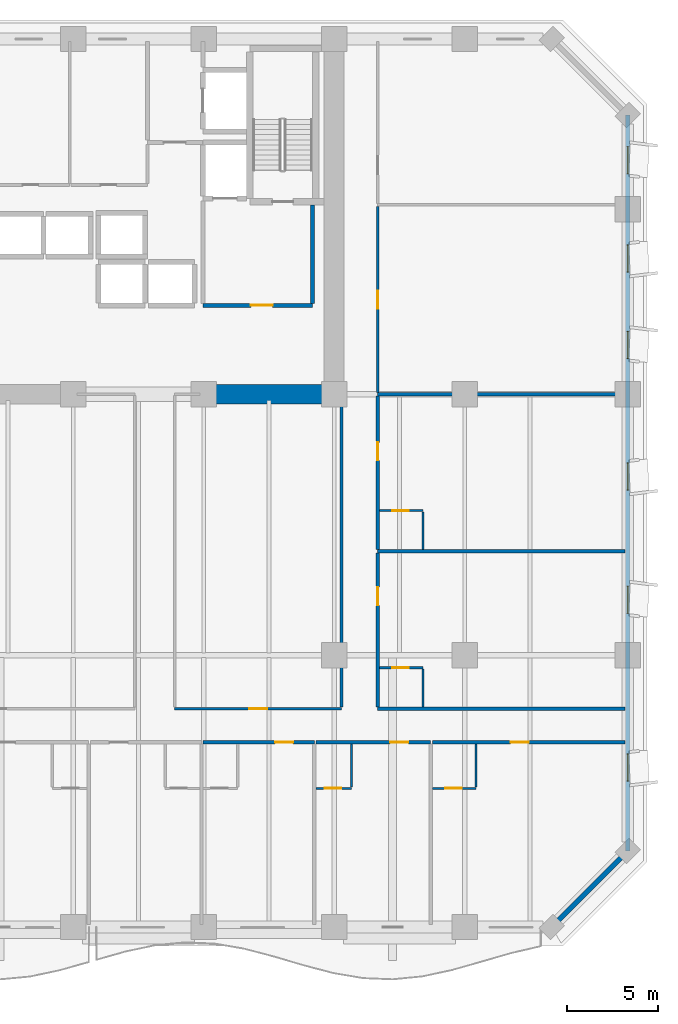
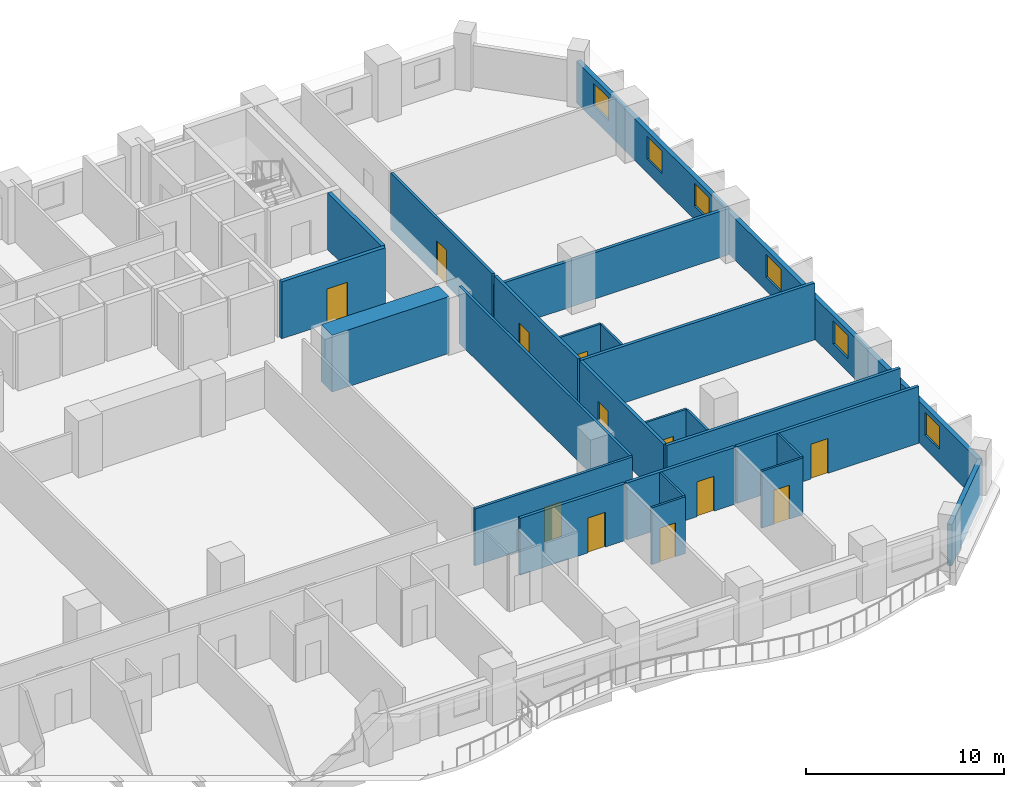
# One storey, part 10 of 15: 24 walls, 12 doors, 6 windows, 18 openings.
"""IFC4 building model written with IfcOpenShell, lengths in metres."""

import ifcopenshell
import ifcopenshell.guid

model = None  # the IFC model being written
_history = None  # IfcOwnerHistory: only IFC2X3 demands one
_inside = {}  # id of a spatial element -> (the spatial element, [elements in it])
_under = {}  # id of a project, library or spatial element -> (it, [spatial elements below it])
_declared = {}  # id of a project -> (the project, [libraries it declares])
_typed = {}  # id of a type object -> (the type object, [elements of that type])
_made_of = {}  # id of a material, layer set ... -> (it, [elements and type objects made of it])


def new_model(schema):
    """Start an empty IFC model of exactly this schema.

    Asked for "IFC4X3", IfcOpenShell would pick the latest addendum, in which some entities
    have other attributes; the version numbers below select the first issue.
    IFC2X3 requires an IfcOwnerHistory on every rooted entity: one is made here for all.
    """
    global model, _history
    if schema == "IFC4X3":
        model = ifcopenshell.file(schema_version=(4, 3, 0, 0))
    else:
        model = ifcopenshell.file(schema=schema)
    _inside.clear()
    _under.clear()
    _declared.clear()
    _typed.clear()
    _made_of.clear()
    _history = None
    if model.schema == "IFC2X3":
        org = make("IfcOrganization", Name="unknown")
        user = make(
            "IfcPersonAndOrganization",
            ThePerson=make("IfcPerson", FamilyName="unknown"),
            TheOrganization=org,
        )
        app = make(
            "IfcApplication",
            ApplicationDeveloper=org,
            Version="unknown",
            ApplicationFullName="unknown",
            ApplicationIdentifier="unknown",
        )
        _history = make(
            "IfcOwnerHistory",
            OwningUser=user,
            OwningApplication=app,
            ChangeAction="ADDED",
            CreationDate=0,
        )
    return model


def make(cls, **values):
    """One entity of the class cls with the attributes given. An attribute that is None is left unset."""
    return model.create_entity(
        cls, **{name: value for name, value in values.items() if value is not None}
    )


def rooted(cls, **values):
    """An entity with a GlobalId (a new one), such as an element, a storey or a relation."""
    return make(cls, GlobalId=ifcopenshell.guid.new(), OwnerHistory=_history, **values)


def si_unit(unit_type, name, prefix=None):
    """IfcSIUnit, for example si_unit("LENGTHUNIT", "METRE", prefix="MILLI")."""
    return make("IfcSIUnit", UnitType=unit_type, Prefix=prefix, Name=name)


def assignment(units):
    """IfcUnitAssignment: the units of a project."""
    return None if units is None else make("IfcUnitAssignment", Units=units)


def point(xyz):
    """IfcCartesianPoint."""
    return None if xyz is None else make("IfcCartesianPoint", Coordinates=xyz)


def direction(xyz):
    """IfcDirection."""
    return None if xyz is None else make("IfcDirection", DirectionRatios=xyz)


def frame(location, z_axis=None, x_axis=None):
    """IfcAxis2Placement3D, a coordinate frame: its origin and axes. An axis left out is left unset."""
    return make(
        "IfcAxis2Placement3D",
        Location=point(location),
        Axis=direction(z_axis),
        RefDirection=direction(x_axis),
    )


def frame_2d(location, x_axis=None):
    """IfcAxis2Placement2D, a coordinate frame in the plane: its origin and x axis."""
    return make(
        "IfcAxis2Placement2D", Location=point(location), RefDirection=direction(x_axis)
    )


def origin():
    """The frame at (0, 0, 0) with its axes left unset."""
    return frame((0.0, 0.0, 0.0))


def place(relative_to, where):
    """IfcLocalPlacement: puts the frame where relative to a parent placement (None: the world)."""
    return make(
        "IfcLocalPlacement", PlacementRelTo=relative_to, RelativePlacement=where
    )


def context(
    kind, dimensions, precision=None, world=None, true_north=None, identifier=None
):
    """IfcGeometricRepresentationContext, for example the 3D "Model" context."""
    return make(
        "IfcGeometricRepresentationContext",
        ContextIdentifier=identifier,
        ContextType=kind,
        CoordinateSpaceDimension=dimensions,
        Precision=precision,
        WorldCoordinateSystem=world,
        TrueNorth=true_north,
    )


def subcontext(parent, identifier, kind, view, scale=None):
    """IfcGeometricRepresentationSubContext, for example "Body" below "Model"."""
    return make(
        "IfcGeometricRepresentationSubContext",
        ContextIdentifier=identifier,
        ContextType=kind,
        ParentContext=parent,
        TargetScale=scale,
        TargetView=view,
    )


def project(units=None, contexts=None):
    """IfcProject with its units and contexts."""
    return rooted(
        "IfcProject",
        Name="project",
        RepresentationContexts=contexts,
        UnitsInContext=assignment(units),
    )


def spatial(cls, under=None, at=None, **own):
    """A site, building, storey or space (cls), placed at a placement, below another one or the project."""
    s = rooted(cls, ObjectPlacement=at, **own)
    if under is not None:
        _under.setdefault(under.id(), (under, []))[1].append(s)
    return s


def profile(cls, at=None, kind="AREA", **sizes):
    """A parametric profile (cls). Its sizes go by their IFC names, for example OverallWidth=200.0."""
    return make(cls, ProfileType=kind, Position=at, **sizes)


def rectangle(**sizes):
    """IfcRectangleProfileDef."""
    return profile("IfcRectangleProfileDef", **sizes)


def extrude(swept, where, along, depth):
    """IfcExtrudedAreaSolid: the profile swept, set in the frame where, extruded along a direction by depth."""
    return make(
        "IfcExtrudedAreaSolid",
        SweptArea=swept,
        Position=where,
        ExtrudedDirection=direction(along),
        Depth=depth,
    )


def shape(context_of_items, identifier, shape_type, items):
    """IfcShapeRepresentation: the items that make up one representation, for example the "Body"."""
    return make(
        "IfcShapeRepresentation",
        ContextOfItems=context_of_items,
        RepresentationIdentifier=identifier,
        RepresentationType=shape_type,
        Items=items,
    )


def material(Name=None, Category=None):
    """IfcMaterial."""
    return make("IfcMaterial", Name=Name, Category=Category)


def layer(
    of_material, thickness, ventilated=None, Name=None, Category=None, Priority=None
):
    """IfcMaterialLayer: one layer of a wall or slab, of a material (None: an air gap)."""
    return make(
        "IfcMaterialLayer",
        Material=of_material,
        LayerThickness=thickness,
        IsVentilated=ventilated,
        Name=Name,
        Category=Category,
        Priority=Priority,
    )


def layer_set(layers, Name=None):
    """IfcMaterialLayerSet."""
    return make("IfcMaterialLayerSet", MaterialLayers=layers, LayerSetName=Name)


def made_of(thing, what):
    """Note that an element or type object is made of a material, layer set ...; save() writes the relation."""
    if what is not None:
        _made_of.setdefault(what.id(), (what, []))[1].append(thing)
    return thing


def type_object(cls, material=None, **own):
    """A type object (cls), such as IfcWallType, which elements share."""
    return made_of(rooted(cls, **own), material)


def element(
    cls,
    number,
    at=None,
    inside=None,
    cuts=None,
    type_object=None,
    material=None,
    context=None,
    identifier="Body",
    shape_type=None,
    held_by="IfcProductDefinitionShape",
    body=None,
    shapes=None,
    **own,
):
    """One element of the class cls, such as IfcWall. Its Tag is "e" and its number.

    at: its placement. inside: the storey or other place that contains it. cuts: it is an
    opening in that element (IfcRelVoidsElement). A single representation is given by context,
    identifier, shape_type and body (its items); several are given by shapes. held_by: the class
    of the entity that holds the representations. save() writes the other relations.
    """
    e = rooted(cls, Tag="e%d" % number, ObjectPlacement=at, **own)
    if body is not None:
        shapes = [shape(context, identifier, shape_type, body)]
    if shapes is not None:
        e.Representation = make(held_by, Representations=shapes)
    if inside is not None:
        _inside.setdefault(inside.id(), (inside, []))[1].append(e)
    if cuts is not None:
        rooted(
            "IfcRelVoidsElement", RelatingBuildingElement=cuts, RelatedOpeningElement=e
        )
    if type_object is not None:
        _typed.setdefault(type_object.id(), (type_object, []))[1].append(e)
    return made_of(e, material)


def fill(opening, filler):
    """IfcRelFillsElement: the door or window that sits in an opening."""
    return rooted(
        "IfcRelFillsElement",
        RelatingOpeningElement=opening,
        RelatedBuildingElement=filler,
    )


def aggregate(whole, parts):
    """IfcRelAggregates: a whole, such as a stair, and the parts it consists of."""
    return rooted("IfcRelAggregates", RelatingObject=whole, RelatedObjects=parts)


def save(model, path):
    """Write the relations noted so far, then the file.

    IfcRelAggregates (storeys below a building ...), IfcRelContainedInSpatialStructure (elements
    in a storey), IfcRelDefinesByType, IfcRelAssociatesMaterial and IfcRelDeclares: one each for
    every whole, place, type object, material and project.
    """
    for whole, parts in _under.values():
        aggregate(whole, parts)
    for where, things in _inside.values():
        rooted(
            "IfcRelContainedInSpatialStructure",
            RelatedElements=things,
            RelatingStructure=where,
        )
    for kind, things in _typed.values():
        rooted("IfcRelDefinesByType", RelatedObjects=things, RelatingType=kind)
    for what, things in _made_of.values():
        rooted("IfcRelAssociatesMaterial", RelatedObjects=things, RelatingMaterial=what)
    for by, libraries in _declared.values():
        rooted("IfcRelDeclares", RelatingContext=by, RelatedDefinitions=libraries)
    model.write(path)


model = new_model("IFC4")

# Units and contexts
model_context = context("Model", 3, precision=1e-05, world=origin(), true_north=direction((0.0, 1.0)))
body_context = subcontext(model_context, "Body", "Model", "MODEL_VIEW")
ifc_project = project(units=[si_unit("LENGTHUNIT", "METRE"), si_unit("AREAUNIT", "SQUARE_METRE"), si_unit("VOLUMEUNIT", "CUBIC_METRE"), si_unit("PLANEANGLEUNIT", "RADIAN"), si_unit("MASSUNIT", "GRAM", prefix="KILO")], contexts=[model_context])

# Site, building, storey
site_placement = place(None, origin())
site = spatial("IfcSite", under=ifc_project, at=site_placement, CompositionType="ELEMENT")
building_placement = place(site_placement, origin())
building = spatial("IfcBuilding", under=site, at=building_placement, Name="Kaelvorn Grand Hotel", CompositionType="ELEMENT")
storey_placement = place(building_placement, frame((0.0, 0.0, 46.39990234375)))
storey = spatial("IfcBuildingStorey", under=building, at=storey_placement, Name="L09", CompositionType="ELEMENT", Elevation=46.39990234375)

# Walls
ifc_material_1 = material(Name="Concrete C80/95", Category="concrete")
ifc_layer_1 = layer(ifc_material_1, 1.10009765625)
ifc_layer_set_1 = layer_set([ifc_layer_1], Name="Concrete C80/95")
wall_type_1 = type_object("IfcWallType", Name="WL-CORE-1100-C80", PredefinedType="SHEAR", material=ifc_layer_set_1)
wall_1_placement = place(storey_placement, frame((60.39990234375, 29.39990234375, 0.0), z_axis=(0.0, 0.0, 1.0), x_axis=(1.0, 0.0, 0.0)))
element("IfcWall", 1, at=wall_1_placement, inside=storey, type_object=wall_type_1, Name="L09 Rear-Core Coupled Shear Pier S4", PredefinedType="SHEAR", context=body_context, shape_type="SweptSolid", body=[
    extrude(rectangle(XDim=6.84521484375, YDim=1.10009765625, at=frame_2d((3.422607421875, 0.0))), origin(), (0.0, 0.0, 1.0), 3.510009765625),
])
ifc_material_2 = material(Name="Concrete C40/50", Category="concrete")
ifc_layer_2 = layer(ifc_material_2, 0.260009765625)
ifc_layer_set_2 = layer_set([ifc_layer_2], Name="Concrete C40/50")
wall_type_2 = type_object("IfcWallType", Name="WL-EXT-260-C40", PredefinedType="SOLIDWALL", material=ifc_layer_set_2)
wall_2_placement = place(storey_placement, frame((79.800048828125, 0.0, 0.0), z_axis=(0.0, 0.0, 1.0), x_axis=(0.707106781187, 0.707106781187, 0.0)))
element("IfcWall", 2, at=wall_2_placement, inside=storey, type_object=wall_type_2, Name="L09 Exterior Architectural Concrete Wall 02", PredefinedType="SOLIDWALL", context=body_context, shape_type="SweptSolid", body=[
    extrude(rectangle(XDim=5.939697265625, YDim=0.260009765625, at=frame_2d((2.9697265625, 0.0))), origin(), (0.0, 0.0, 1.0), 2.56005859375),
])

# Wall, openings, windows
wall_3_placement = place(storey_placement, frame((84.0, 4.199951171875, 0.0), z_axis=(0.0, 0.0, 1.0), x_axis=(0.0, 1.0, 0.0)))
wall_3 = element("IfcWall", 3, at=wall_3_placement, inside=storey, type_object=wall_type_2, Name="L09 Exterior Architectural Concrete Wall 03", PredefinedType="SOLIDWALL", context=body_context, shape_type="SweptSolid", body=[
    extrude(rectangle(XDim=40.60009765625, YDim=0.260009765625, at=frame_2d((20.300048828125, 0.0))), origin(), (0.0, 0.0, 1.0), 2.56005859375),
])
opening_1_placement = place(wall_3_placement, frame((3.85009765625, 0.0, 0.85009765625)))
opening_1 = element("IfcOpeningElement", 4, at=opening_1_placement, cuts=wall_3, Name="Opening W10", PredefinedType="OPENING", context=body_context, shape_type="SweptSolid", body=[
    extrude(rectangle(XDim=1.5, YDim=1.39990234375, at=frame_2d((0.75, 0.699951171875))), frame((0.0, 0.14013671875, 0.0), z_axis=(0.0, -1.0, 0.0), x_axis=(1.0, 0.0, 0.0)), (0.0, 0.0, 1.0), 0.280029296875),
])
opening_2_placement = place(wall_3_placement, frame((13.114990234375, 0.0, 0.85009765625)))
opening_2 = element("IfcOpeningElement", 5, at=opening_2_placement, cuts=wall_3, Name="Opening W10", PredefinedType="OPENING", context=body_context, shape_type="SweptSolid", body=[
    extrude(rectangle(XDim=1.5, YDim=1.39990234375, at=frame_2d((0.75, 0.699951171875))), frame((0.0, 0.14013671875, 0.0), z_axis=(0.0, -1.0, 0.0), x_axis=(1.0, 0.0, 0.0)), (0.0, 0.0, 1.0), 0.280029296875),
])
opening_3_placement = place(wall_3_placement, frame((19.9150390625, 0.0, 0.85009765625)))
opening_3 = element("IfcOpeningElement", 6, at=opening_3_placement, cuts=wall_3, Name="Opening W10", PredefinedType="OPENING", context=body_context, shape_type="SweptSolid", body=[
    extrude(rectangle(XDim=1.5, YDim=1.39990234375, at=frame_2d((0.75, 0.699951171875))), frame((0.0, 0.14013671875, 0.0), z_axis=(0.0, -1.0, 0.0), x_axis=(1.0, 0.0, 0.0)), (0.0, 0.0, 1.0), 0.280029296875),
])
opening_4_placement = place(wall_3_placement, frame((27.1650390625, 0.0, 0.85009765625)))
opening_4 = element("IfcOpeningElement", 7, at=opening_4_placement, cuts=wall_3, Name="Opening W10", PredefinedType="OPENING", context=body_context, shape_type="SweptSolid", body=[
    extrude(rectangle(XDim=1.5, YDim=1.39990234375, at=frame_2d((0.75, 0.699951171875))), frame((0.0, 0.14013671875, 0.0), z_axis=(0.0, -1.0, 0.0), x_axis=(1.0, 0.0, 0.0)), (0.0, 0.0, 1.0), 0.280029296875),
])
opening_5_placement = place(wall_3_placement, frame((31.93505859375, 0.0, 0.85009765625)))
opening_5 = element("IfcOpeningElement", 8, at=opening_5_placement, cuts=wall_3, Name="Opening W10", PredefinedType="OPENING", context=body_context, shape_type="SweptSolid", body=[
    extrude(rectangle(XDim=1.5, YDim=1.39990234375, at=frame_2d((0.75, 0.699951171875))), frame((0.0, 0.14013671875, 0.0), z_axis=(0.0, -1.0, 0.0), x_axis=(1.0, 0.0, 0.0)), (0.0, 0.0, 1.0), 0.280029296875),
])
opening_6_placement = place(wall_3_placement, frame((37.364990234375, 0.0, 0.85009765625)))
opening_6 = element("IfcOpeningElement", 9, at=opening_6_placement, cuts=wall_3, Name="Opening W10", PredefinedType="OPENING", context=body_context, shape_type="SweptSolid", body=[
    extrude(rectangle(XDim=1.5, YDim=1.39990234375, at=frame_2d((0.75, 0.699951171875))), frame((0.0, 0.14013671875, 0.0), z_axis=(0.0, -1.0, 0.0), x_axis=(1.0, 0.0, 0.0)), (0.0, 0.0, 1.0), 0.280029296875),
])
ifc_material_3 = material(Name="Laminated Low-E Glass", Category="glass")
window_type = type_object("IfcWindowType", Name="WIN-COR-1500x1400", PartitioningType="SINGLE_PANEL", PredefinedType="WINDOW", material=ifc_material_3)
window_1_placement = place(opening_1_placement, origin())
window_1 = element("IfcWindow", 10, at=window_1_placement, inside=storey, type_object=window_type, Name="L09 E Wing Tilted-Frame Ribbon Window E01", OverallHeight=1.39990234375, OverallWidth=1.5, PartitioningType="SINGLE_PANEL", PredefinedType="WINDOW", context=body_context, shape_type="SweptSolid", body=[
    extrude(rectangle(XDim=1.5, YDim=1.39990234375, at=frame_2d((0.75, 0.699951171875))), frame((0.0, 0.030029296875, 0.0), z_axis=(0.0, -1.0, 0.0), x_axis=(1.0, 0.0, 0.0)), (0.0, 0.0, 1.0), 0.06005859375),
])
fill(opening_1, window_1)
window_2_placement = place(opening_2_placement, origin())
window_2 = element("IfcWindow", 11, at=window_2_placement, inside=storey, type_object=window_type, Name="L09 E Wing Tilted-Frame Ribbon Window E02", OverallHeight=1.39990234375, OverallWidth=1.5, PartitioningType="SINGLE_PANEL", PredefinedType="WINDOW", context=body_context, shape_type="SweptSolid", body=[
    extrude(rectangle(XDim=1.5, YDim=1.39990234375, at=frame_2d((0.75, 0.699951171875))), frame((0.0, 0.030029296875, 0.0), z_axis=(0.0, -1.0, 0.0), x_axis=(1.0, 0.0, 0.0)), (0.0, 0.0, 1.0), 0.06005859375),
])
fill(opening_2, window_2)
window_3_placement = place(opening_3_placement, origin())
window_3 = element("IfcWindow", 12, at=window_3_placement, inside=storey, type_object=window_type, Name="L09 E Wing Tilted-Frame Ribbon Window E03", OverallHeight=1.39990234375, OverallWidth=1.5, PartitioningType="SINGLE_PANEL", PredefinedType="WINDOW", context=body_context, shape_type="SweptSolid", body=[
    extrude(rectangle(XDim=1.5, YDim=1.39990234375, at=frame_2d((0.75, 0.699951171875))), frame((0.0, 0.030029296875, 0.0), z_axis=(0.0, -1.0, 0.0), x_axis=(1.0, 0.0, 0.0)), (0.0, 0.0, 1.0), 0.06005859375),
])
fill(opening_3, window_3)
window_4_placement = place(opening_4_placement, origin())
window_4 = element("IfcWindow", 13, at=window_4_placement, inside=storey, type_object=window_type, Name="L09 E Wing Tilted-Frame Ribbon Window E04", OverallHeight=1.39990234375, OverallWidth=1.5, PartitioningType="SINGLE_PANEL", PredefinedType="WINDOW", context=body_context, shape_type="SweptSolid", body=[
    extrude(rectangle(XDim=1.5, YDim=1.39990234375, at=frame_2d((0.75, 0.699951171875))), frame((0.0, 0.030029296875, 0.0), z_axis=(0.0, -1.0, 0.0), x_axis=(1.0, 0.0, 0.0)), (0.0, 0.0, 1.0), 0.06005859375),
])
fill(opening_4, window_4)
window_5_placement = place(opening_5_placement, origin())
window_5 = element("IfcWindow", 14, at=window_5_placement, inside=storey, type_object=window_type, Name="L09 E Wing Tilted-Frame Ribbon Window E05", OverallHeight=1.39990234375, OverallWidth=1.5, PartitioningType="SINGLE_PANEL", PredefinedType="WINDOW", context=body_context, shape_type="SweptSolid", body=[
    extrude(rectangle(XDim=1.5, YDim=1.39990234375, at=frame_2d((0.75, 0.699951171875))), frame((0.0, 0.030029296875, 0.0), z_axis=(0.0, -1.0, 0.0), x_axis=(1.0, 0.0, 0.0)), (0.0, 0.0, 1.0), 0.06005859375),
])
fill(opening_5, window_5)
window_6_placement = place(opening_6_placement, origin())
window_6 = element("IfcWindow", 15, at=window_6_placement, inside=storey, type_object=window_type, Name="L09 E Wing Tilted-Frame Ribbon Window E06", OverallHeight=1.39990234375, OverallWidth=1.5, PartitioningType="SINGLE_PANEL", PredefinedType="WINDOW", context=body_context, shape_type="SweptSolid", body=[
    extrude(rectangle(XDim=1.5, YDim=1.39990234375, at=frame_2d((0.75, 0.699951171875))), frame((0.0, 0.030029296875, 0.0), z_axis=(0.0, -1.0, 0.0), x_axis=(1.0, 0.0, 0.0)), (0.0, 0.0, 1.0), 0.06005859375),
])
fill(opening_6, window_6)

# Wall, opening, door
ifc_material_4 = material(Name="Moisture-Resistant Tile & Stud Board")
ifc_layer_3 = layer(ifc_material_4, 0.125)
ifc_layer_set_3 = layer_set([ifc_layer_3], Name="Moisture-Resistant Tile & Stud Board")
wall_type_3 = type_object("IfcWallType", Name="WL-PART-125-WET", PredefinedType="PARTITIONING", material=ifc_layer_set_3)
wall_4_placement = place(storey_placement, frame((66.793701171875, 7.64990234375, 0.0), z_axis=(0.0, 0.0, 1.0), x_axis=(1.0, 0.0, 0.0)))
wall_4 = element("IfcWall", 16, at=wall_4_placement, inside=storey, type_object=wall_type_3, Name="L09 En-suite Bathroom L09-11 S Partition", PredefinedType="PARTITIONING", context=body_context, shape_type="SweptSolid", body=[
    extrude(rectangle(XDim=1.965087890625, YDim=0.125, at=frame_2d((0.982421875, 0.0))), origin(), (0.0, 0.0, 1.0), 3.510009765625),
])
opening_7_placement = place(wall_4_placement, frame((0.485107421875, 0.0, 0.0)))
opening_7 = element("IfcOpeningElement", 17, at=opening_7_placement, cuts=wall_4, Name="Opening DI4", PredefinedType="OPENING", context=body_context, shape_type="SweptSolid", body=[
    extrude(rectangle(XDim=0.89990234375, YDim=2.10009765625, at=frame_2d((0.449951171875, 1.050048828125))), frame((0.0, 0.072509765625, 0.0), z_axis=(0.0, -1.0, 0.0), x_axis=(1.0, 0.0, 0.0)), (0.0, 0.0, 1.0), 0.14501953125),
])
ifc_material_5 = material(Name="Timber Veneer Leaf", Category="wood")
door_type_1 = type_object("IfcDoorType", Name="DR-INT-BATH-900x2100", OperationType="NOTDEFINED", PredefinedType="DOOR", material=ifc_material_5)
door_1_placement = place(opening_7_placement, origin())
door_1 = element("IfcDoor", 18, at=door_1_placement, inside=storey, type_object=door_type_1, Name="L09 En-suite Bathroom L09-11 Door", OperationType="SINGLE_SWING_RIGHT", OverallHeight=2.10009765625, OverallWidth=0.89990234375, PredefinedType="DOOR", context=body_context, shape_type="SweptSolid", body=[
    extrude(rectangle(XDim=0.89990234375, YDim=2.10009765625, at=frame_2d((0.449951171875, 1.050048828125))), frame((0.0, 0.02490234375, 0.0), z_axis=(0.0, -1.0, 0.0), x_axis=(1.0, 0.0, 0.0)), (0.0, 0.0, 1.0), 0.050048828125),
])
fill(opening_7, door_1)

# Wall
wall_5_placement = place(storey_placement, frame((68.7587890625, 7.717529296875, 0.0), z_axis=(0.0, 0.0, 1.0), x_axis=(0.0, 1.0, 0.0)))
element("IfcWall", 19, at=wall_5_placement, inside=storey, type_object=wall_type_3, Name="L09 En-suite Bathroom L09-11 E Partition", PredefinedType="PARTITIONING", context=body_context, shape_type="SweptSolid", body=[
    extrude(rectangle(XDim=2.387451171875, YDim=0.125, at=frame_2d((1.19384765625, 0.0))), origin(), (0.0, 0.0, 1.0), 3.510009765625),
])

# Wall, opening, door
wall_6_placement = place(storey_placement, frame((73.21923828125, 7.64990234375, 0.0), z_axis=(0.0, 0.0, 1.0), x_axis=(1.0, 0.0, 0.0)))
wall_6 = element("IfcWall", 20, at=wall_6_placement, inside=storey, type_object=wall_type_3, Name="L09 En-suite Bathroom L09-12 S Partition", PredefinedType="PARTITIONING", context=body_context, shape_type="SweptSolid", body=[
    extrude(rectangle(XDim=2.405029296875, YDim=0.125, at=frame_2d((1.20263671875, 0.0))), origin(), (0.0, 0.0, 1.0), 3.510009765625),
])
opening_8_placement = place(wall_6_placement, frame((0.705078125, 0.0, 0.0)))
opening_8 = element("IfcOpeningElement", 21, at=opening_8_placement, cuts=wall_6, Name="Opening DI4", PredefinedType="OPENING", context=body_context, shape_type="SweptSolid", body=[
    extrude(rectangle(XDim=0.89990234375, YDim=2.10009765625, at=frame_2d((0.449951171875, 1.050048828125))), frame((0.0, 0.072509765625, 0.0), z_axis=(0.0, -1.0, 0.0), x_axis=(1.0, 0.0, 0.0)), (0.0, 0.0, 1.0), 0.14501953125),
])
door_2_placement = place(opening_8_placement, origin())
door_2 = element("IfcDoor", 22, at=door_2_placement, inside=storey, type_object=door_type_1, Name="L09 En-suite Bathroom L09-12 Door", OperationType="SINGLE_SWING_RIGHT", OverallHeight=2.10009765625, OverallWidth=0.89990234375, PredefinedType="DOOR", context=body_context, shape_type="SweptSolid", body=[
    extrude(rectangle(XDim=0.89990234375, YDim=2.10009765625, at=frame_2d((0.449951171875, 1.050048828125))), frame((0.0, 0.02490234375, 0.0), z_axis=(0.0, -1.0, 0.0), x_axis=(1.0, 0.0, 0.0)), (0.0, 0.0, 1.0), 0.050048828125),
])
fill(opening_8, door_2)

# Wall
wall_7_placement = place(storey_placement, frame((75.624267578125, 7.717529296875, 0.0), z_axis=(0.0, 0.0, 1.0), x_axis=(0.0, 1.0, 0.0)))
element("IfcWall", 23, at=wall_7_placement, inside=storey, type_object=wall_type_3, Name="L09 En-suite Bathroom L09-12 E Partition", PredefinedType="PARTITIONING", context=body_context, shape_type="SweptSolid", body=[
    extrude(rectangle(XDim=2.387451171875, YDim=0.125, at=frame_2d((1.19384765625, 0.0))), origin(), (0.0, 0.0, 1.0), 3.510009765625),
])

# Wall, opening, door
wall_8_placement = place(storey_placement, frame((70.294921875, 14.31005859375, 0.0), z_axis=(0.0, 0.0, 1.0), x_axis=(1.0, 0.0, 0.0)))
wall_8 = element("IfcWall", 24, at=wall_8_placement, inside=storey, type_object=wall_type_3, Name="L09 En-suite Bathroom L09-15 N Partition", PredefinedType="PARTITIONING", context=body_context, shape_type="SweptSolid", body=[
    extrude(rectangle(XDim=2.405029296875, YDim=0.125, at=frame_2d((1.20263671875, 0.0))), origin(), (0.0, 0.0, 1.0), 3.510009765625),
])
opening_9_placement = place(wall_8_placement, frame((0.705078125, 0.0, 0.0)))
opening_9 = element("IfcOpeningElement", 25, at=opening_9_placement, cuts=wall_8, Name="Opening DI4", PredefinedType="OPENING", context=body_context, shape_type="SweptSolid", body=[
    extrude(rectangle(XDim=0.89990234375, YDim=2.10009765625, at=frame_2d((0.449951171875, 1.050048828125))), frame((0.0, 0.072509765625, 0.0), z_axis=(0.0, -1.0, 0.0), x_axis=(1.0, 0.0, 0.0)), (0.0, 0.0, 1.0), 0.14501953125),
])
door_3_placement = place(opening_9_placement, origin())
door_3 = element("IfcDoor", 26, at=door_3_placement, inside=storey, type_object=door_type_1, Name="L09 En-suite Bathroom L09-15 Door", OperationType="SINGLE_SWING_RIGHT", OverallHeight=2.10009765625, OverallWidth=0.89990234375, PredefinedType="DOOR", context=body_context, shape_type="SweptSolid", body=[
    extrude(rectangle(XDim=0.89990234375, YDim=2.10009765625, at=frame_2d((0.449951171875, 1.050048828125))), frame((0.0, 0.02490234375, 0.0), z_axis=(0.0, -1.0, 0.0), x_axis=(1.0, 0.0, 0.0)), (0.0, 0.0, 1.0), 0.050048828125),
])
fill(opening_9, door_3)

# Wall
wall_9_placement = place(storey_placement, frame((72.699951171875, 12.14501953125, 0.0), z_axis=(0.0, 0.0, 1.0), x_axis=(0.0, 1.0, 0.0)))
element("IfcWall", 27, at=wall_9_placement, inside=storey, type_object=wall_type_3, Name="L09 En-suite Bathroom L09-15 E Partition", PredefinedType="PARTITIONING", context=body_context, shape_type="SweptSolid", body=[
    extrude(rectangle(XDim=2.097412109375, YDim=0.125, at=frame_2d((1.048828125, 0.0))), origin(), (0.0, 0.0, 1.0), 3.510009765625),
])

# Wall, opening, door
wall_10_placement = place(storey_placement, frame((70.294921875, 22.97998046875, 0.0), z_axis=(0.0, 0.0, 1.0), x_axis=(1.0, 0.0, 0.0)))
wall_10 = element("IfcWall", 28, at=wall_10_placement, inside=storey, type_object=wall_type_3, Name="L09 En-suite Bathroom L09-16 N Partition", PredefinedType="PARTITIONING", context=body_context, shape_type="SweptSolid", body=[
    extrude(rectangle(XDim=2.405029296875, YDim=0.125, at=frame_2d((1.20263671875, 0.0))), origin(), (0.0, 0.0, 1.0), 3.510009765625),
])
opening_10_placement = place(wall_10_placement, frame((0.705078125, 0.0, 0.0)))
opening_10 = element("IfcOpeningElement", 29, at=opening_10_placement, cuts=wall_10, Name="Opening DI4", PredefinedType="OPENING", context=body_context, shape_type="SweptSolid", body=[
    extrude(rectangle(XDim=0.89990234375, YDim=2.10009765625, at=frame_2d((0.449951171875, 1.050048828125))), frame((0.0, 0.072509765625, 0.0), z_axis=(0.0, -1.0, 0.0), x_axis=(1.0, 0.0, 0.0)), (0.0, 0.0, 1.0), 0.14501953125),
])
door_4_placement = place(opening_10_placement, origin())
door_4 = element("IfcDoor", 30, at=door_4_placement, inside=storey, type_object=door_type_1, Name="L09 En-suite Bathroom L09-16 Door", OperationType="SINGLE_SWING_RIGHT", OverallHeight=2.10009765625, OverallWidth=0.89990234375, PredefinedType="DOOR", context=body_context, shape_type="SweptSolid", body=[
    extrude(rectangle(XDim=0.89990234375, YDim=2.10009765625, at=frame_2d((0.449951171875, 1.050048828125))), frame((0.0, 0.02490234375, 0.0), z_axis=(0.0, -1.0, 0.0), x_axis=(1.0, 0.0, 0.0)), (0.0, 0.0, 1.0), 0.050048828125),
])
fill(opening_10, door_4)

# Wall
wall_11_placement = place(storey_placement, frame((72.699951171875, 20.824951171875, 0.0), z_axis=(0.0, 0.0, 1.0), x_axis=(0.0, 1.0, 0.0)))
element("IfcWall", 31, at=wall_11_placement, inside=storey, type_object=wall_type_3, Name="L09 En-suite Bathroom L09-16 E Partition", PredefinedType="PARTITIONING", context=body_context, shape_type="SweptSolid", body=[
    extrude(rectangle(XDim=2.087646484375, YDim=0.125, at=frame_2d((1.0439453125, 0.0))), origin(), (0.0, 0.0, 1.0), 3.510009765625),
])

# Wall, opening, door
ifc_material_6 = material(Name="Acoustic Gypsum & Stud Partition")
ifc_layer_4 = layer(ifc_material_6, 0.14990234375)
ifc_layer_set_4 = layer_set([ifc_layer_4], Name="Acoustic Gypsum & Stud Partition")
wall_type_4 = type_object("IfcWallType", Name="WL-PART-150-EI60", PredefinedType="PARTITIONING", material=ifc_layer_set_4)
wall_12_placement = place(storey_placement, frame((59.0, 12.050048828125, 0.0), z_axis=(0.0, 0.0, 1.0), x_axis=(1.0, 0.0, 0.0)))
wall_12 = element("IfcWall", 32, at=wall_12_placement, inside=storey, type_object=wall_type_4, Name="L09 Wellness Fitness Gym S Partition", PredefinedType="PARTITIONING", context=body_context, shape_type="SweptSolid", body=[
    extrude(rectangle(XDim=9.199951171875, YDim=0.14990234375, at=frame_2d((4.60009765625, 0.0))), origin(), (0.0, 0.0, 1.0), 3.510009765625),
])
opening_11_placement = place(wall_12_placement, frame((4.10009765625, 0.0, 0.0)))
opening_11 = element("IfcOpeningElement", 33, at=opening_11_placement, cuts=wall_12, Name="Opening DI3", PredefinedType="OPENING", context=body_context, shape_type="SweptSolid", body=[
    extrude(rectangle(XDim=1.0, YDim=2.14990234375, at=frame_2d((0.5, 1.074951171875))), frame((0.0, 0.0849609375, 0.0), z_axis=(0.0, -1.0, 0.0), x_axis=(1.0, 0.0, 0.0)), (0.0, 0.0, 1.0), 0.169921875),
])
ifc_material_7 = material(Name="Timber Veneer Fire Leaf", Category="wood")
door_type_2 = type_object("IfcDoorType", Name="DR-INT-GUEST-1000x2150", OperationType="NOTDEFINED", PredefinedType="DOOR", material=ifc_material_7)
door_5_placement = place(opening_11_placement, origin())
door_5 = element("IfcDoor", 34, at=door_5_placement, inside=storey, type_object=door_type_2, Name="L09 Wellness Fitness Gym Door", OperationType="SINGLE_SWING_RIGHT", OverallHeight=2.14990234375, OverallWidth=1.0, PredefinedType="DOOR", context=body_context, shape_type="SweptSolid", body=[
    extrude(rectangle(XDim=1.0, YDim=2.14990234375, at=frame_2d((0.5, 1.074951171875))), frame((0.0, 0.02490234375, 0.0), z_axis=(0.0, -1.0, 0.0), x_axis=(1.0, 0.0, 0.0)), (0.0, 0.0, 1.0), 0.050048828125),
])
fill(opening_11, door_5)

# Wall
wall_13_placement = place(storey_placement, frame((68.199951171875, 12.1298828125, 0.0), z_axis=(0.0, 0.0, 1.0), x_axis=(0.0, 1.0, 0.0)))
element("IfcWall", 35, at=wall_13_placement, inside=storey, type_object=wall_type_4, Name="L09 Wellness Fitness Gym E Partition", PredefinedType="PARTITIONING", context=body_context, shape_type="SweptSolid", body=[
    extrude(rectangle(XDim=17.260009765625, YDim=0.14990234375, at=frame_2d((8.6298828125, 0.0))), origin(), (0.0, 0.0, 1.0), 3.510009765625),
])

# Wall, opening, door
wall_14_placement = place(storey_placement, frame((70.199951171875, 29.4951171875, 0.0), z_axis=(0.0, 0.0, 1.0), x_axis=(0.0, 1.0, 0.0)))
wall_14 = element("IfcWall", 36, at=wall_14_placement, inside=storey, type_object=wall_type_4, Name="L09 North-East Wellness Fitness Gym W Partition", PredefinedType="PARTITIONING", context=body_context, shape_type="SweptSolid", body=[
    extrude(rectangle(XDim=10.27490234375, YDim=0.14990234375, at=frame_2d((5.137451171875, 0.0))), origin(), (0.0, 0.0, 1.0), 3.510009765625),
])
opening_12_placement = place(wall_14_placement, frame((4.625, 0.0, 0.0)))
opening_12 = element("IfcOpeningElement", 37, at=opening_12_placement, cuts=wall_14, Name="Opening DI3", PredefinedType="OPENING", context=body_context, shape_type="SweptSolid", body=[
    extrude(rectangle(XDim=1.0, YDim=2.14990234375, at=frame_2d((0.5, 1.074951171875))), frame((0.0, 0.0849609375, 0.0), z_axis=(0.0, -1.0, 0.0), x_axis=(1.0, 0.0, 0.0)), (0.0, 0.0, 1.0), 0.169921875),
])
door_6_placement = place(opening_12_placement, origin())
door_6 = element("IfcDoor", 38, at=door_6_placement, inside=storey, type_object=door_type_2, Name="L09 North-East Wellness Fitness Gym Door", OperationType="SINGLE_SWING_LEFT", OverallHeight=2.14990234375, OverallWidth=1.0, PredefinedType="DOOR", context=body_context, shape_type="SweptSolid", body=[
    extrude(rectangle(XDim=1.0, YDim=2.14990234375, at=frame_2d((0.5, 1.074951171875))), frame((0.0, 0.02490234375, 0.0), z_axis=(0.0, -1.0, 0.0), x_axis=(1.0, 0.0, 0.0)), (0.0, 0.0, 1.0), 0.050048828125),
])
fill(opening_12, door_6)

ifc_layer_5 = layer(ifc_material_6, 0.179931640625)
ifc_layer_set_5 = layer_set([ifc_layer_5], Name="Acoustic Gypsum & Stud Partition")
wall_type_5 = type_object("IfcWallType", Name="WL-PART-180-EI60", PredefinedType="PARTITIONING", material=ifc_layer_set_5)
wall_15_placement = place(storey_placement, frame((60.56884765625, 10.199951171875, 0.0), z_axis=(0.0, 0.0, 1.0), x_axis=(1.0, 0.0, 0.0)))
wall_15 = element("IfcWall", 39, at=wall_15_placement, inside=storey, type_object=wall_type_5, Name="L09 Deluxe King Guest Room L09-10 N Partition", PredefinedType="PARTITIONING", context=body_context, shape_type="SweptSolid", body=[
    extrude(rectangle(XDim=6.1298828125, YDim=0.179931640625, at=frame_2d((3.06494140625, 0.0))), origin(), (0.0, 0.0, 1.0), 3.510009765625),
])
opening_13_placement = place(wall_15_placement, frame((3.96728515625, 0.0, 0.0)))
opening_13 = element("IfcOpeningElement", 40, at=opening_13_placement, cuts=wall_15, Name="Opening DI3", PredefinedType="OPENING", context=body_context, shape_type="SweptSolid", body=[
    extrude(rectangle(XDim=1.0, YDim=2.14990234375, at=frame_2d((0.5, 1.074951171875))), frame((0.0, 0.10009765625, 0.0), z_axis=(0.0, -1.0, 0.0), x_axis=(1.0, 0.0, 0.0)), (0.0, 0.0, 1.0), 0.199951171875),
])
door_7_placement = place(opening_13_placement, origin())
door_7 = element("IfcDoor", 41, at=door_7_placement, inside=storey, type_object=door_type_2, Name="L09 Deluxe King Guest Room L09-10 Door", OperationType="SINGLE_SWING_LEFT", OverallHeight=2.14990234375, OverallWidth=1.0, PredefinedType="DOOR", context=body_context, shape_type="SweptSolid", body=[
    extrude(rectangle(XDim=1.0, YDim=2.14990234375, at=frame_2d((0.5, 1.074951171875))), frame((0.0, 0.02490234375, 0.0), z_axis=(0.0, -1.0, 0.0), x_axis=(1.0, 0.0, 0.0)), (0.0, 0.0, 1.0), 0.050048828125),
])
fill(opening_13, door_7)

wall_16_placement = place(storey_placement, frame((66.793701171875, 10.199951171875, 0.0), z_axis=(0.0, 0.0, 1.0), x_axis=(1.0, 0.0, 0.0)))
wall_16 = element("IfcWall", 42, at=wall_16_placement, inside=storey, type_object=wall_type_5, Name="L09 Deluxe Panoramic Suite L09-11 N Partition", PredefinedType="PARTITIONING", context=body_context, shape_type="SweptSolid", body=[
    extrude(rectangle(XDim=6.33056640625, YDim=0.179931640625, at=frame_2d((3.165283203125, 0.0))), origin(), (0.0, 0.0, 1.0), 3.510009765625),
])
opening_14_placement = place(wall_16_placement, frame((4.097900390625, 0.0, 0.0)))
opening_14 = element("IfcOpeningElement", 43, at=opening_14_placement, cuts=wall_16, Name="Opening DI3", PredefinedType="OPENING", context=body_context, shape_type="SweptSolid", body=[
    extrude(rectangle(XDim=1.0, YDim=2.14990234375, at=frame_2d((0.5, 1.074951171875))), frame((0.0, 0.10009765625, 0.0), z_axis=(0.0, -1.0, 0.0), x_axis=(1.0, 0.0, 0.0)), (0.0, 0.0, 1.0), 0.199951171875),
])
door_8_placement = place(opening_14_placement, origin())
door_8 = element("IfcDoor", 44, at=door_8_placement, inside=storey, type_object=door_type_2, Name="L09 Deluxe Panoramic Suite L09-11 Door", OperationType="SINGLE_SWING_LEFT", OverallHeight=2.14990234375, OverallWidth=1.0, PredefinedType="DOOR", context=body_context, shape_type="SweptSolid", body=[
    extrude(rectangle(XDim=1.0, YDim=2.14990234375, at=frame_2d((0.5, 1.074951171875))), frame((0.0, 0.02490234375, 0.0), z_axis=(0.0, -1.0, 0.0), x_axis=(1.0, 0.0, 0.0)), (0.0, 0.0, 1.0), 0.050048828125),
])
fill(opening_14, door_8)

wall_17_placement = place(storey_placement, frame((73.21923828125, 10.199951171875, 0.0), z_axis=(0.0, 0.0, 1.0), x_axis=(1.0, 0.0, 0.0)))
wall_17 = element("IfcWall", 45, at=wall_17_placement, inside=storey, type_object=wall_type_5, Name="L09 Deluxe Panoramic Suite L09-12 N Partition", PredefinedType="PARTITIONING", context=body_context, shape_type="SweptSolid", body=[
    extrude(rectangle(XDim=10.630859375, YDim=0.179931640625, at=frame_2d((5.3154296875, 0.0))), origin(), (0.0, 0.0, 1.0), 3.510009765625),
])
opening_15_placement = place(wall_17_placement, frame((4.31787109375, 0.0, 0.0)))
opening_15 = element("IfcOpeningElement", 46, at=opening_15_placement, cuts=wall_17, Name="Opening DI3", PredefinedType="OPENING", context=body_context, shape_type="SweptSolid", body=[
    extrude(rectangle(XDim=1.0, YDim=2.14990234375, at=frame_2d((0.5, 1.074951171875))), frame((0.0, 0.10009765625, 0.0), z_axis=(0.0, -1.0, 0.0), x_axis=(1.0, 0.0, 0.0)), (0.0, 0.0, 1.0), 0.199951171875),
])
door_9_placement = place(opening_15_placement, origin())
door_9 = element("IfcDoor", 47, at=door_9_placement, inside=storey, type_object=door_type_2, Name="L09 Deluxe Panoramic Suite L09-12 Door", OperationType="SINGLE_SWING_LEFT", OverallHeight=2.14990234375, OverallWidth=1.0, PredefinedType="DOOR", context=body_context, shape_type="SweptSolid", body=[
    extrude(rectangle(XDim=1.0, YDim=2.14990234375, at=frame_2d((0.5, 1.074951171875))), frame((0.0, 0.02490234375, 0.0), z_axis=(0.0, -1.0, 0.0), x_axis=(1.0, 0.0, 0.0)), (0.0, 0.0, 1.0), 0.050048828125),
])
fill(opening_15, door_9)

# Walls
for number, where, z_axis, x_axis, name in (
    (48, (70.199951171875, 12.050048828125, 0.0), (0.0, 0.0, 1.0), (1.0, 0.0, 0.0), "L09 East Wing Panoramic Suite L09-15 S Partition"),
    (49, (70.199951171875, 20.72998046875, 0.0), (0.0, 0.0, 1.0), (1.0, 0.0, 0.0), "L09 East Wing Panoramic Suite L09-15 N Partition"),
):
    element("IfcWall", number, at=place(storey_placement, frame(where, z_axis=z_axis, x_axis=x_axis)), inside=storey, type_object=wall_type_5, Name=name, PredefinedType="PARTITIONING", context=body_context, shape_type="SweptSolid", body=[
        extrude(rectangle(XDim=13.650146484375, YDim=0.179931640625, at=frame_2d((6.8251953125, 0.0))), origin(), (0.0, 0.0, 1.0), 3.510009765625),
    ])

# Wall, opening, door
wall_18_placement = place(storey_placement, frame((70.199951171875, 12.14501953125, 0.0), z_axis=(0.0, 0.0, 1.0), x_axis=(0.0, 1.0, 0.0)))
wall_18 = element("IfcWall", 50, at=wall_18_placement, inside=storey, type_object=wall_type_5, Name="L09 East Wing Panoramic Suite L09-15 W Partition", PredefinedType="PARTITIONING", context=body_context, shape_type="SweptSolid", body=[
    extrude(rectangle(XDim=8.489990234375, YDim=0.179931640625, at=frame_2d((4.2451171875, 0.0))), origin(), (0.0, 0.0, 1.0), 3.510009765625),
])
opening_16_placement = place(wall_18_placement, frame((5.610107421875, 0.0, 0.0)))
opening_16 = element("IfcOpeningElement", 51, at=opening_16_placement, cuts=wall_18, Name="Opening DI3", PredefinedType="OPENING", context=body_context, shape_type="SweptSolid", body=[
    extrude(rectangle(XDim=1.0, YDim=2.14990234375, at=frame_2d((0.5, 1.074951171875))), frame((0.0, 0.10009765625, 0.0), z_axis=(0.0, -1.0, 0.0), x_axis=(1.0, 0.0, 0.0)), (0.0, 0.0, 1.0), 0.199951171875),
])
door_10_placement = place(opening_16_placement, origin())
door_10 = element("IfcDoor", 52, at=door_10_placement, inside=storey, type_object=door_type_2, Name="L09 East Wing Panoramic Suite L09-15 Door", OperationType="SINGLE_SWING_LEFT", OverallHeight=2.14990234375, OverallWidth=1.0, PredefinedType="DOOR", context=body_context, shape_type="SweptSolid", body=[
    extrude(rectangle(XDim=1.0, YDim=2.14990234375, at=frame_2d((0.5, 1.074951171875))), frame((0.0, 0.02490234375, 0.0), z_axis=(0.0, -1.0, 0.0), x_axis=(1.0, 0.0, 0.0)), (0.0, 0.0, 1.0), 0.050048828125),
])
fill(opening_16, door_10)

# Wall
wall_19_placement = place(storey_placement, frame((70.199951171875, 29.39990234375, 0.0), z_axis=(0.0, 0.0, 1.0), x_axis=(1.0, 0.0, 0.0)))
element("IfcWall", 53, at=wall_19_placement, inside=storey, type_object=wall_type_5, Name="L09 East Mid-Wing Suite L09-16 N Partition", PredefinedType="PARTITIONING", context=body_context, shape_type="SweptSolid", body=[
    extrude(rectangle(XDim=13.650146484375, YDim=0.179931640625, at=frame_2d((6.8251953125, 0.0))), origin(), (0.0, 0.0, 1.0), 2.860107421875),
])

# Wall, opening, door
wall_20_placement = place(storey_placement, frame((70.199951171875, 20.824951171875, 0.0), z_axis=(0.0, 0.0, 1.0), x_axis=(0.0, 1.0, 0.0)))
wall_20 = element("IfcWall", 54, at=wall_20_placement, inside=storey, type_object=wall_type_5, Name="L09 East Mid-Wing Suite L09-16 W Partition", PredefinedType="PARTITIONING", context=body_context, shape_type="SweptSolid", body=[
    extrude(rectangle(XDim=8.47998046875, YDim=0.179931640625, at=frame_2d((4.239990234375, 0.0))), origin(), (0.0, 0.0, 1.0), 3.510009765625),
])
opening_17_placement = place(wall_20_placement, frame((4.925048828125, 0.0, 0.0)))
opening_17 = element("IfcOpeningElement", 55, at=opening_17_placement, cuts=wall_20, Name="Opening DI3", PredefinedType="OPENING", context=body_context, shape_type="SweptSolid", body=[
    extrude(rectangle(XDim=1.0, YDim=2.14990234375, at=frame_2d((0.5, 1.074951171875))), frame((0.0, 0.10009765625, 0.0), z_axis=(0.0, -1.0, 0.0), x_axis=(1.0, 0.0, 0.0)), (0.0, 0.0, 1.0), 0.199951171875),
])
door_11_placement = place(opening_17_placement, origin())
door_11 = element("IfcDoor", 56, at=door_11_placement, inside=storey, type_object=door_type_2, Name="L09 East Mid-Wing Suite L09-16 Door", OperationType="SINGLE_SWING_LEFT", OverallHeight=2.14990234375, OverallWidth=1.0, PredefinedType="DOOR", context=body_context, shape_type="SweptSolid", body=[
    extrude(rectangle(XDim=1.0, YDim=2.14990234375, at=frame_2d((0.5, 1.074951171875))), frame((0.0, 0.02490234375, 0.0), z_axis=(0.0, -1.0, 0.0), x_axis=(1.0, 0.0, 0.0)), (0.0, 0.0, 1.0), 0.050048828125),
])
fill(opening_17, door_11)

ifc_layer_6 = layer(ifc_material_2, 0.219970703125)
ifc_layer_set_6 = layer_set([ifc_layer_6], Name="Concrete C40/50")
wall_type_6 = type_object("IfcWallType", Name="WL-PART-220-EI120", PredefinedType="PARTITIONING", material=ifc_layer_set_6)
wall_21_placement = place(storey_placement, frame((60.550048828125, 34.300048828125, 0.0), z_axis=(0.0, 0.0, 1.0), x_axis=(1.0, 0.0, 0.0)))
wall_21 = element("IfcWall", 57, at=wall_21_placement, inside=storey, type_object=wall_type_6, Name="L09 Firefighting Lift Lobby 2 S Partition", PredefinedType="PARTITIONING", context=body_context, shape_type="SweptSolid", body=[
    extrude(rectangle(XDim=6.050048828125, YDim=0.219970703125, at=frame_2d((3.02490234375, 0.0))), origin(), (0.0, 0.0, 1.0), 3.510009765625),
])
opening_18_placement = place(wall_21_placement, frame((2.64990234375, 0.0, 0.0)))
opening_18 = element("IfcOpeningElement", 58, at=opening_18_placement, cuts=wall_21, Name="Opening DI2", PredefinedType="OPENING", context=body_context, shape_type="SweptSolid", body=[
    extrude(rectangle(XDim=1.199951171875, YDim=2.14990234375, at=frame_2d((0.60009765625, 1.074951171875))), frame((0.0, 0.1201171875, 0.0), z_axis=(0.0, -1.0, 0.0), x_axis=(1.0, 0.0, 0.0)), (0.0, 0.0, 1.0), 0.239990234375),
])
door_type_3 = type_object("IfcDoorType", Name="DR-INT-FFLOB-1200x2150", OperationType="NOTDEFINED", PredefinedType="DOOR", material=ifc_material_7)
door_12_placement = place(opening_18_placement, origin())
door_12 = element("IfcDoor", 59, at=door_12_placement, inside=storey, type_object=door_type_3, Name="L09 Firefighting Lift Lobby 2 Door", OperationType="SINGLE_SWING_LEFT", OverallHeight=2.14990234375, OverallWidth=1.199951171875, PredefinedType="DOOR", context=body_context, shape_type="SweptSolid", body=[
    extrude(rectangle(XDim=1.199951171875, YDim=2.14990234375, at=frame_2d((0.60009765625, 1.074951171875))), frame((0.0, 0.02490234375, 0.0), z_axis=(0.0, -1.0, 0.0), x_axis=(1.0, 0.0, 0.0)), (0.0, 0.0, 1.0), 0.050048828125),
])
fill(opening_18, door_12)

# Wall
wall_22_placement = place(storey_placement, frame((66.60009765625, 34.4150390625, 0.0), z_axis=(0.0, 0.0, 1.0), x_axis=(0.0, 1.0, 0.0)))
element("IfcWall", 60, at=wall_22_placement, inside=storey, type_object=wall_type_6, Name="L09 Firefighting Lift Lobby 2 E Partition", PredefinedType="PARTITIONING", context=body_context, shape_type="SweptSolid", body=[
    extrude(rectangle(XDim=5.429931640625, YDim=0.219970703125, at=frame_2d((2.71484375, 0.0))), origin(), (0.0, 0.0, 1.0), 3.510009765625),
])

save(model, "model.ifc")
